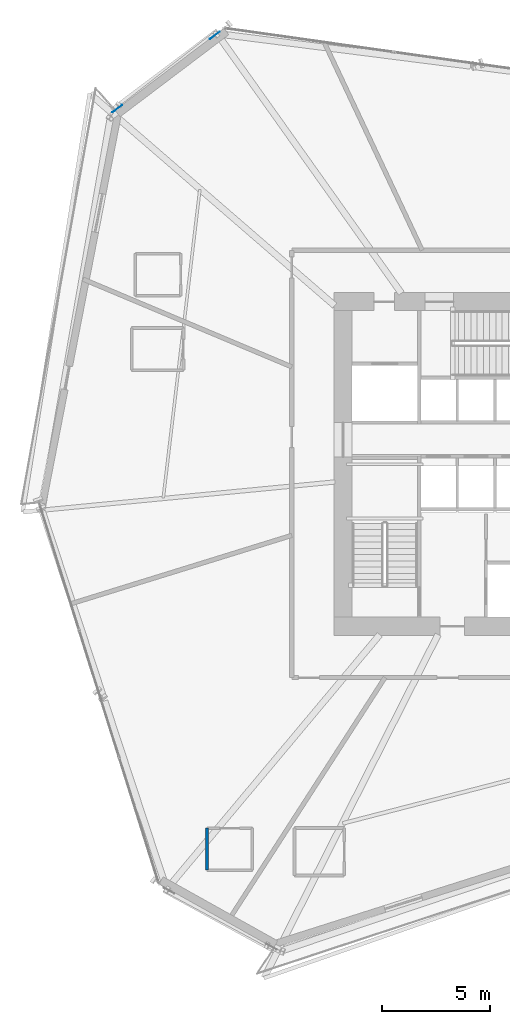
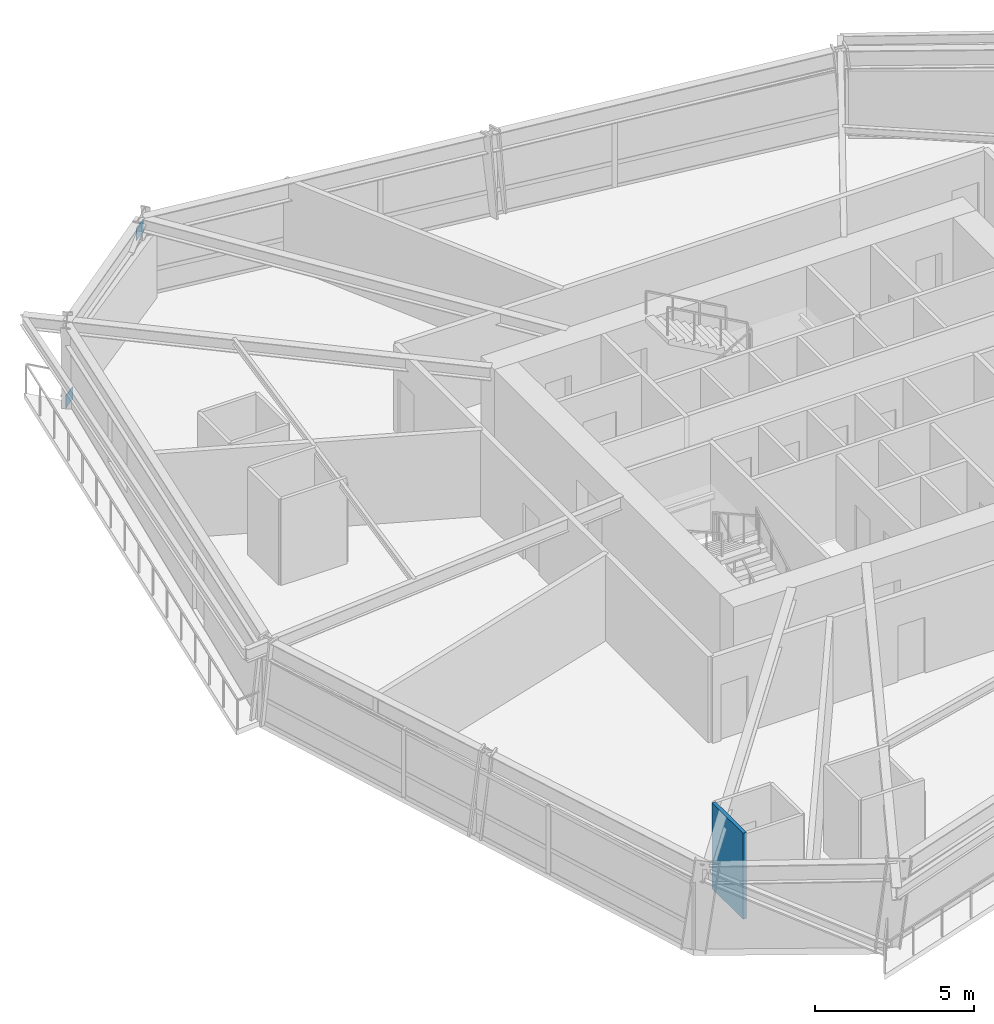
# One storey, part 14 of 21: 2 plates, 1 wall.
"""IFC4 building model written with IfcOpenShell, lengths in metres."""

from ifc_helpers import new_model, si_unit, direction, frame, frame_2d, origin, origin_2d, place, context, subcontext, project, spatial, rectangle, extrude, source, transform, mapped, material, layer, layer_set, type_object, element, save


model = new_model("IFC4")

# Units and contexts
model_context = context("Model", 3, precision=1e-05, world=origin(), true_north=direction((0.0, 1.0)))
body_context = subcontext(model_context, "Body", "Model", "MODEL_VIEW")
ifc_project = project(units=[si_unit("LENGTHUNIT", "METRE"), si_unit("AREAUNIT", "SQUARE_METRE"), si_unit("VOLUMEUNIT", "CUBIC_METRE"), si_unit("PLANEANGLEUNIT", "RADIAN"), si_unit("MASSUNIT", "GRAM", prefix="KILO")], contexts=[model_context])

# Site, building, storey
site_placement = place(None, origin())
site = spatial("IfcSite", under=ifc_project, at=site_placement, CompositionType="ELEMENT")
building_placement = place(site_placement, origin())
building = spatial("IfcBuilding", under=site, at=building_placement, Name="Olszyna Solenne Hotel", CompositionType="ELEMENT")
storey_placement = place(building_placement, frame((0.0, 0.0, 54.14990234375)))
storey = spatial("IfcBuildingStorey", under=building, at=storey_placement, Name="L13", CompositionType="ELEMENT", Elevation=54.14990234375)

# Plates
ifc_material_1 = material(Name="Steel S355J2", Category="steel")
plate_type = type_object("IfcPlateType", Name="GP-ND2", PredefinedType="USERDEFINED", material=ifc_material_1)
shared_shape = source(origin(), body_context, "Body", "SweptSolid", [
    extrude(rectangle(XDim=0.56005859375, YDim=0.02001953125, at=origin_2d()), origin(), (0.0, 0.0, 1.0), 0.47998046875),
])
for number, where, z_axis, x_axis, name in (
    (1, (19.214111328125, 43.063720703125, -0.168212890625), (0.0, 0.0, 1.0), (0.799370169588, 0.60083885691, 0.0), "Brace end connection gusset plate GP-ND2 EP-BR-L13-2-1"),
    (2, (23.7353515625, 46.46240234375, 2.61328125), (0.0, 0.0, 1.0), (0.799370169588, 0.60083885691, 0.0), "Brace end connection gusset plate GP-ND2 EP-BR-L13-2-2"),
):
    element("IfcPlate", number, at=place(storey_placement, frame(where, z_axis=z_axis, x_axis=x_axis)), inside=storey, type_object=plate_type, Name=name, ObjectType="GUSSET_PLATE", PredefinedType="USERDEFINED", context=body_context, shape_type="MappedRepresentation", body=[
        mapped(shared_shape, transform((0.0, 0.0, 0.0), x_axis=(1.0, 0.0, 0.0), y_axis=(0.0, 1.0, 0.0), z_axis=(0.0, 0.0, 1.0), scale=1.0)),
    ])

# Wall
ifc_material_2 = material(Name="Acoustic gypsum partition", Category="gypsum")
ifc_layer = layer(ifc_material_2, 0.125, Name="Acoustic gypsum partition")
ifc_layer_set = layer_set([ifc_layer], Name="Acoustic gypsum partition")
wall_type = type_object("IfcWallType", Name="WL-PT125", PredefinedType="PARTITIONING", material=ifc_layer_set)
wall_placement = place(storey_placement, frame((23.37109375, 9.719970703125, 0.0), z_axis=(0.0, 0.0, 1.0), x_axis=(0.0, -1.0, 0.0)))
element("IfcWall", 3, at=wall_placement, inside=storey, type_object=wall_type, Name="Interior acoustic partition WL-PT125 PW-L13-0726", PredefinedType="PARTITIONING", context=body_context, shape_type="SweptSolid", body=[
    extrude(rectangle(XDim=1.949951171875, YDim=0.125, at=frame_2d((0.97509765625, 0.0))), origin(), (0.0, 0.0, 1.0), 3.300048828125),
])

save(model, "model.ifc")
